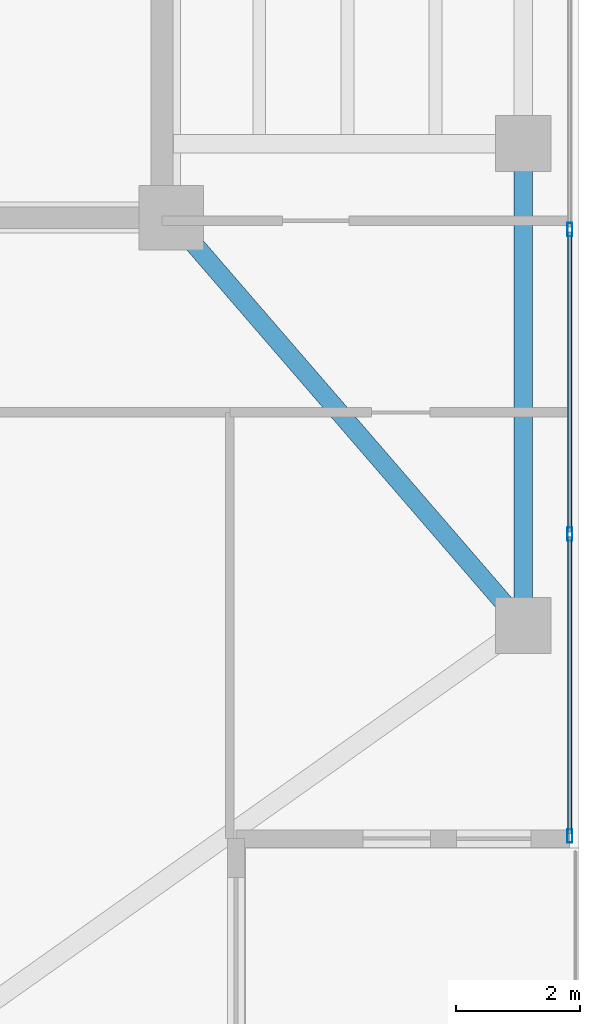
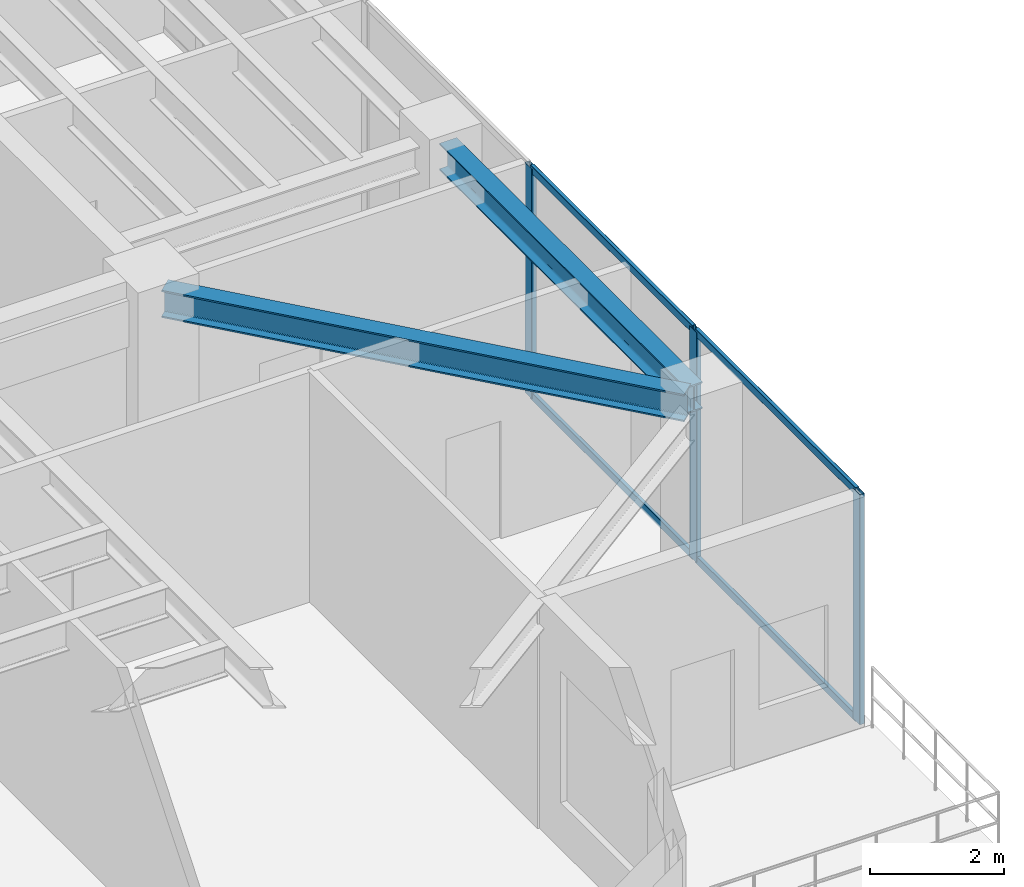
# One storey, part 13 of 33: 7 members, 2 beams, 1 element without a shape of its own.
"""IFC4 building model written with IfcOpenShell, lengths in metres."""

from ifc_helpers import new_model, si_unit, direction, frame, origin, origin_2d, place, context, subcontext, project, spatial, hollow_rectangle, i_section, extrude, material, layer, layer_set, material_profile, profile_set, type_object, element, aggregate, save


model = new_model("IFC4")

# Units and contexts
model_context = context("Model", 3, precision=1e-05, world=origin(), true_north=direction((0.0, 1.0)))
body_context = subcontext(model_context, "Body", "Model", "MODEL_VIEW")
ifc_project = project(units=[si_unit("LENGTHUNIT", "METRE"), si_unit("AREAUNIT", "SQUARE_METRE"), si_unit("VOLUMEUNIT", "CUBIC_METRE"), si_unit("PLANEANGLEUNIT", "RADIAN"), si_unit("MASSUNIT", "GRAM", prefix="KILO")], contexts=[model_context])

# Site, building, storey
site_placement = place(None, origin())
site = spatial("IfcSite", under=ifc_project, at=site_placement, CompositionType="ELEMENT")
building_placement = place(site_placement, origin())
building = spatial("IfcBuilding", under=site, at=building_placement, Name="Tarnavaz Court Tower", CompositionType="ELEMENT")
storey_placement = place(building_placement, frame((0.0, 0.0, 177.300048828125)))
storey = spatial("IfcBuildingStorey", under=building, at=storey_placement, Name="L48", CompositionType="ELEMENT", Elevation=177.300048828125)

# Beams
ifc_material_1 = material(Name="Steel S355", Category="steel")
ifc_material_profile_1 = material_profile(ifc_material_1, i_section(OverallWidth=0.300048828125, OverallDepth=0.5, WebThickness=0.014404296875, FlangeThickness=0.028076171875, FilletRadius=0.027099609375, at=origin_2d()), Name="HEB 500")
ifc_profile_set_1 = profile_set([ifc_material_profile_1], Name="Steel S355")
beam_type_1 = type_object("IfcBeamType", Name="BM-G-HEB500", PredefinedType="USERDEFINED", material=ifc_profile_set_1)
beam_1_placement = place(storey_placement, frame((18.743896484375, -7.366455078125, 3.949951171875), z_axis=(0.653610659012, -0.756830962914, 0.0), x_axis=(0.756830962914, 0.653610659012, 0.0)))
element("IfcBeam", 1, at=beam_1_placement, inside=storey, type_object=beam_type_1, Name="L48 Beam RG-11", ObjectType="GIRDER", PredefinedType="USERDEFINED", context=body_context, shape_type="SweptSolid", body=[
    extrude(i_section(OverallWidth=0.300048828125, OverallDepth=0.5, WebThickness=0.014404296875, FlangeThickness=0.028076171875, FilletRadius=0.027099609375, at=origin_2d()), origin(), (0.0, 0.0, 1.0), 8.28076171875),
])
ifc_material_profile_2 = material_profile(ifc_material_1, i_section(OverallWidth=0.300048828125, OverallDepth=0.489990234375, WebThickness=0.011962890625, FlangeThickness=0.02294921875, FilletRadius=0.027099609375, at=origin_2d()), Name="HEA 500")
ifc_profile_set_2 = profile_set([ifc_material_profile_2], Name="Steel S355")
beam_type_2 = type_object("IfcBeamType", Name="BM-SP-HEA500", PredefinedType="SPANDREL", material=ifc_profile_set_2)
beam_2_placement = place(storey_placement, frame((24.300048828125, -13.580078125, 3.954833984375), z_axis=(0.0, 1.0, 0.0), x_axis=(-1.0, 0.0, 0.0)))
element("IfcBeam", 2, at=beam_2_placement, inside=storey, type_object=beam_type_2, Name="L48 Beam PR-PE-1-PE-2", PredefinedType="SPANDREL", context=body_context, shape_type="SweptSolid", body=[
    extrude(i_section(OverallWidth=0.300048828125, OverallDepth=0.489990234375, WebThickness=0.011962890625, FlangeThickness=0.02294921875, FilletRadius=0.027099609375, at=origin_2d()), origin(), (0.0, 0.0, 1.0), 7.360107421875),
])

# Curtain wall, members
ifc_material_2 = material(Name="Anodised Aluminium 6063-T6 and Solar Low-E Glazing", Category="aluminium")
ifc_layer = layer(ifc_material_2, 0.199951171875)
ifc_layer_set = layer_set([ifc_layer], Name="Anodised Aluminium 6063-T6 and Solar Low-E Glazing")
curtain_wall_type = type_object("IfcCurtainWallType", Name="CW-SYS-05", PredefinedType="NOTDEFINED", material=ifc_layer_set)
curtain_wall_placement = place(storey_placement, origin())
curtain_wall = element("IfcCurtainWall", 3, at=curtain_wall_placement, inside=storey, type_object=curtain_wall_type, Name="L48 Sky-Portal Curtain Wall 12", PredefinedType="NOTDEFINED")
ifc_material_3 = material(Name="Anodised Aluminium 6063-T6", Category="aluminium")
ifc_material_profile_3 = material_profile(ifc_material_3, hollow_rectangle(XDim=0.0849609375, YDim=0.219970703125, WallThickness=0.006103515625, InnerFilletRadius=0.006103515625, OuterFilletRadius=0.011962890625, at=origin_2d()), Name="ALU RHS 220X85X6")
ifc_profile_set_3 = profile_set([ifc_material_profile_3], Name="Anodised Aluminium 6063-T6")
member_type_1 = type_object("IfcMemberType", Name="CW-MUL-220", PredefinedType="MULLION", material=ifc_profile_set_3)
member_1_placement = place(storey_placement, frame((25.050048828125, -7.392822265625, 0.0), z_axis=(0.0, 0.0, 1.0), x_axis=(1.0, 0.0, 0.0)))
member_1 = element("IfcMember", 4, at=member_1_placement, type_object=member_type_1, Name="CW mullion 6", PredefinedType="MULLION", context=body_context, shape_type="SweptSolid", body=[
    extrude(hollow_rectangle(XDim=0.0849609375, YDim=0.219970703125, WallThickness=0.006103515625, InnerFilletRadius=0.006103515625, OuterFilletRadius=0.011962890625, at=origin_2d()), origin(), (0.0, 0.0, 1.0), 4.199951171875),
])
member_2_placement = place(storey_placement, frame((25.050048828125, -12.321533203125, 0.0), z_axis=(0.0, 0.0, 1.0), x_axis=(1.0, 0.0, 0.0)))
member_2 = element("IfcMember", 5, at=member_2_placement, type_object=member_type_1, Name="CW mullion 7", PredefinedType="MULLION", context=body_context, shape_type="SweptSolid", body=[
    extrude(hollow_rectangle(XDim=0.0849609375, YDim=0.219970703125, WallThickness=0.006103515625, InnerFilletRadius=0.006103515625, OuterFilletRadius=0.011962890625, at=origin_2d()), origin(), (0.0, 0.0, 1.0), 4.199951171875),
])
member_3_placement = place(storey_placement, frame((25.050048828125, -17.20751953125, 0.0), z_axis=(0.0, 0.0, 1.0), x_axis=(1.0, 0.0, 0.0)))
member_3 = element("IfcMember", 6, at=member_3_placement, type_object=member_type_1, Name="CW mullion 8", PredefinedType="MULLION", context=body_context, shape_type="SweptSolid", body=[
    extrude(hollow_rectangle(XDim=0.0849609375, YDim=0.219970703125, WallThickness=0.006103515625, InnerFilletRadius=0.006103515625, OuterFilletRadius=0.011962890625, at=origin_2d()), origin(), (0.0, 0.0, 1.0), 4.199951171875),
])
ifc_material_profile_4 = material_profile(ifc_material_3, hollow_rectangle(XDim=0.06494140625, YDim=0.139892578125, WallThickness=0.00390625, InnerFilletRadius=0.00390625, OuterFilletRadius=0.008056640625, at=origin_2d()), Name="ALU RHS 140X65X4")
ifc_profile_set_4 = profile_set([ifc_material_profile_4], Name="Anodised Aluminium 6063-T6")
member_type_2 = type_object("IfcMemberType", Name="CW-TRN-140", PredefinedType="USERDEFINED", material=ifc_profile_set_4)
member_4_placement = place(storey_placement, frame((25.050048828125, -7.435302734375, 0.032470703125), z_axis=(0.0, -1.0, 0.0), x_axis=(1.0, 0.0, 0.0)))
member_4 = element("IfcMember", 7, at=member_4_placement, type_object=member_type_2, Name="CW transom 6.1", ObjectType="TRANSOM", PredefinedType="USERDEFINED", context=body_context, shape_type="SweptSolid", body=[
    extrude(hollow_rectangle(XDim=0.06494140625, YDim=0.139892578125, WallThickness=0.00390625, InnerFilletRadius=0.00390625, OuterFilletRadius=0.008056640625, at=origin_2d()), origin(), (0.0, 0.0, 1.0), 4.843505859375),
])
member_5_placement = place(storey_placement, frame((25.050048828125, -7.435302734375, 4.16748046875), z_axis=(0.0, -1.0, 0.0), x_axis=(1.0, 0.0, 0.0)))
member_5 = element("IfcMember", 8, at=member_5_placement, type_object=member_type_2, Name="CW transom 6.2", ObjectType="TRANSOM", PredefinedType="USERDEFINED", context=body_context, shape_type="SweptSolid", body=[
    extrude(hollow_rectangle(XDim=0.06494140625, YDim=0.139892578125, WallThickness=0.00390625, InnerFilletRadius=0.00390625, OuterFilletRadius=0.008056640625, at=origin_2d()), origin(), (0.0, 0.0, 1.0), 4.843505859375),
])
member_6_placement = place(storey_placement, frame((25.050048828125, -12.364013671875, 0.032470703125), z_axis=(0.0, -1.0, 0.0), x_axis=(1.0, 0.0, 0.0)))
member_6 = element("IfcMember", 9, at=member_6_placement, type_object=member_type_2, Name="CW transom 7.1", ObjectType="TRANSOM", PredefinedType="USERDEFINED", context=body_context, shape_type="SweptSolid", body=[
    extrude(hollow_rectangle(XDim=0.06494140625, YDim=0.139892578125, WallThickness=0.00390625, InnerFilletRadius=0.00390625, OuterFilletRadius=0.008056640625, at=origin_2d()), origin(), (0.0, 0.0, 1.0), 4.801025390625),
])
member_7_placement = place(storey_placement, frame((25.050048828125, -12.364013671875, 4.16748046875), z_axis=(0.0, -1.0, 0.0), x_axis=(1.0, 0.0, 0.0)))
member_7 = element("IfcMember", 10, at=member_7_placement, type_object=member_type_2, Name="CW transom 7.2", ObjectType="TRANSOM", PredefinedType="USERDEFINED", context=body_context, shape_type="SweptSolid", body=[
    extrude(hollow_rectangle(XDim=0.06494140625, YDim=0.139892578125, WallThickness=0.00390625, InnerFilletRadius=0.00390625, OuterFilletRadius=0.008056640625, at=origin_2d()), origin(), (0.0, 0.0, 1.0), 4.801025390625),
])
aggregate(curtain_wall, [member_1, member_2, member_3, member_4, member_5, member_6, member_7])

save(model, "model.ifc")
